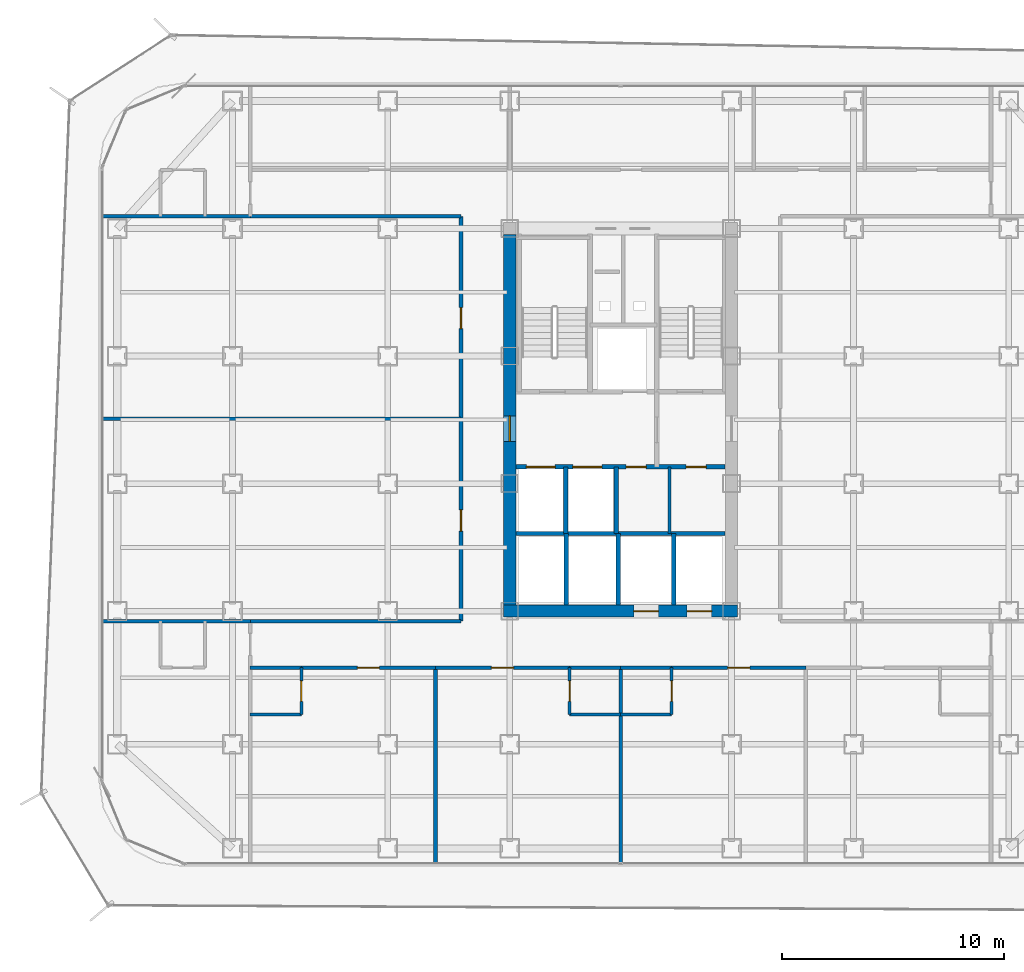
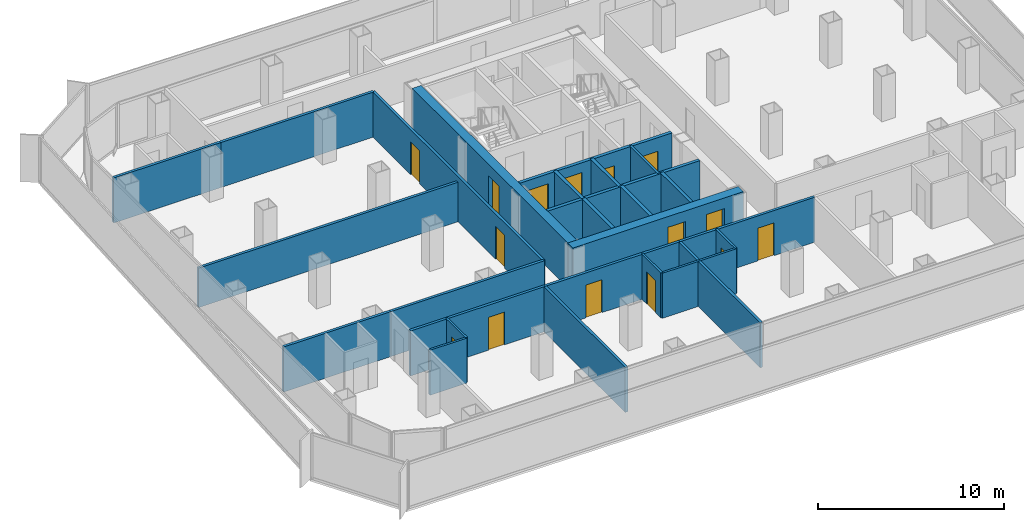
# One storey, part 16 of 21: 30 walls, 15 doors, 15 openings.
"""IFC4 building model written with IfcOpenShell, lengths in metres."""

from ifc_helpers import new_model, si_unit, direction, frame, frame_2d, origin, place, context, subcontext, project, spatial, rectangle, extrude, material, layer, layer_set, type_object, element, fill, save


model = new_model("IFC4")

# Units and contexts
model_context = context("Model", 3, precision=1e-05, world=origin(), true_north=direction((0.0, 1.0)))
body_context = subcontext(model_context, "Body", "Model", "MODEL_VIEW")
ifc_project = project(units=[si_unit("LENGTHUNIT", "METRE"), si_unit("AREAUNIT", "SQUARE_METRE"), si_unit("VOLUMEUNIT", "CUBIC_METRE"), si_unit("PLANEANGLEUNIT", "RADIAN"), si_unit("MASSUNIT", "GRAM", prefix="KILO")], contexts=[model_context])

# Site, building, storey
site_placement = place(None, origin())
site = spatial("IfcSite", under=ifc_project, at=site_placement, CompositionType="ELEMENT")
building_placement = place(site_placement, origin())
building = spatial("IfcBuilding", under=site, at=building_placement, Name="Kolveth Station Tower", CompositionType="ELEMENT")
storey_placement = place(building_placement, frame((0.0, 0.0, 92.699951171875)))
storey = spatial("IfcBuildingStorey", under=building, at=storey_placement, Name="L24", CompositionType="ELEMENT", Elevation=92.699951171875)

# Wall, openings, doors
ifc_material_1 = material(Name="Concrete C60/75", Category="concrete")
ifc_layer_1 = layer(ifc_material_1, 0.550048828125)
ifc_layer_set_1 = layer_set([ifc_layer_1], Name="Concrete C60/75")
wall_type_1 = type_object("IfcWallType", Name="Wall_CW-550", PredefinedType="SHEAR", material=ifc_layer_set_1)
wall_1_placement = place(storey_placement, frame((18.22509765625, 11.5, 0.0), z_axis=(0.0, 0.0, 1.0), x_axis=(1.0, 0.0, 0.0)))
wall_1 = element("IfcWall", 1, at=wall_1_placement, inside=storey, type_object=wall_type_1, Name="L24 Core RC Shear Wall S", PredefinedType="SHEAR", context=body_context, shape_type="SweptSolid", body=[
    extrude(rectangle(XDim=10.5498046875, YDim=0.550048828125, at=frame_2d((5.27490234375, 0.0))), origin(), (0.0, 0.0, 1.0), 2.949951171875),
])
opening_1_placement = place(wall_1_placement, frame((5.875, 0.0, 0.0)))
opening_1 = element("IfcOpeningElement", 2, at=opening_1_placement, cuts=wall_1, Name="Opening LD1", PredefinedType="OPENING", context=body_context, shape_type="SweptSolid", body=[
    extrude(rectangle(XDim=1.10009765625, YDim=2.25, at=frame_2d((0.550048828125, 1.125))), frame((0.0, 0.284912109375, 0.0), z_axis=(0.0, -1.0, 0.0), x_axis=(1.0, 0.0, 0.0)), (0.0, 0.0, 1.0), 0.570068359375),
])
opening_2_placement = place(wall_1_placement, frame((8.27490234375, 0.0, 0.0)))
opening_2 = element("IfcOpeningElement", 3, at=opening_2_placement, cuts=wall_1, Name="Opening LD1", PredefinedType="OPENING", context=body_context, shape_type="SweptSolid", body=[
    extrude(rectangle(XDim=1.10009765625, YDim=2.25, at=frame_2d((0.550048828125, 1.125))), frame((0.0, 0.284912109375, 0.0), z_axis=(0.0, -1.0, 0.0), x_axis=(1.0, 0.0, 0.0)), (0.0, 0.0, 1.0), 0.570068359375),
])
ifc_material_2 = material(Name="Brushed stainless steel sliding landing doors", Category="steel")
door_type_1 = type_object("IfcDoorType", Name="Door_LD1", OperationType="NOTDEFINED", PredefinedType="DOOR", material=ifc_material_2)
door_1_placement = place(opening_1_placement, frame((1.10009765625, 0.0, 0.0), z_axis=(0.0, 0.0, 1.0), x_axis=(-1.0, 0.0, 0.0)))
door_1 = element("IfcDoor", 4, at=door_1_placement, inside=storey, type_object=door_type_1, Name="L24 Lift PM1 Landing Door", OperationType="DOUBLE_DOOR_SLIDING", OverallHeight=2.25, OverallWidth=1.10009765625, PredefinedType="DOOR", context=body_context, shape_type="SweptSolid", body=[
    extrude(rectangle(XDim=1.10009765625, YDim=2.25, at=frame_2d((0.550048828125, 1.125))), frame((0.0, 0.02490234375, 0.0), z_axis=(0.0, -1.0, 0.0), x_axis=(1.0, 0.0, 0.0)), (0.0, 0.0, 1.0), 0.050048828125),
])
fill(opening_1, door_1)
door_2_placement = place(opening_2_placement, frame((1.10009765625, 0.0, 0.0), z_axis=(0.0, 0.0, 1.0), x_axis=(-1.0, 0.0, 0.0)))
door_2 = element("IfcDoor", 5, at=door_2_placement, inside=storey, type_object=door_type_1, Name="L24 Lift PH1 Landing Door", OperationType="DOUBLE_DOOR_SLIDING", OverallHeight=2.25, OverallWidth=1.10009765625, PredefinedType="DOOR", context=body_context, shape_type="SweptSolid", body=[
    extrude(rectangle(XDim=1.10009765625, YDim=2.25, at=frame_2d((0.550048828125, 1.125))), frame((0.0, 0.02490234375, 0.0), z_axis=(0.0, -1.0, 0.0), x_axis=(1.0, 0.0, 0.0)), (0.0, 0.0, 1.0), 0.050048828125),
])
fill(opening_2, door_2)

# Wall, opening, door
wall_2_placement = place(storey_placement, frame((18.5, 11.77490234375, 0.0), z_axis=(0.0, 0.0, 1.0), x_axis=(0.0, 1.0, 0.0)))
wall_2 = element("IfcWall", 6, at=wall_2_placement, inside=storey, type_object=wall_type_1, Name="L24 Core RC Shear Wall W", PredefinedType="SHEAR", context=body_context, shape_type="SweptSolid", body=[
    extrude(rectangle(XDim=16.7001953125, YDim=0.550048828125, at=frame_2d((8.35009765625, 0.0))), origin(), (0.0, 0.0, 1.0), 2.949951171875),
])
opening_3_placement = place(wall_2_placement, frame((7.375, 0.0, 0.0)))
opening_3 = element("IfcOpeningElement", 7, at=opening_3_placement, cuts=wall_2, Name="Opening FD1", PredefinedType="OPENING", context=body_context, shape_type="SweptSolid", body=[
    extrude(rectangle(XDim=1.14990234375, YDim=2.199951171875, at=frame_2d((0.574951171875, 1.10009765625))), frame((0.0, 0.284912109375, 0.0), z_axis=(0.0, -1.0, 0.0), x_axis=(1.0, 0.0, 0.0)), (0.0, 0.0, 1.0), 0.570068359375),
])
ifc_material_3 = material(Name="Fire-rated Steel S355 leaf and frame", Category="steel")
door_type_2 = type_object("IfcDoorType", Name="Door_FD1", OperationType="NOTDEFINED", PredefinedType="DOOR", material=ifc_material_3)
door_3_placement = place(opening_3_placement, frame((1.14990234375, 0.0, 0.0), z_axis=(0.0, 0.0, 1.0), x_axis=(-1.0, 0.0, 0.0)))
door_3 = element("IfcDoor", 8, at=door_3_placement, inside=storey, type_object=door_type_2, Name="L24 West Corridor to Firefighting Lobby Door", OperationType="SINGLE_SWING_LEFT", OverallHeight=2.199951171875, OverallWidth=1.14990234375, PredefinedType="DOOR", context=body_context, shape_type="SweptSolid", body=[
    extrude(rectangle(XDim=1.14990234375, YDim=2.199951171875, at=frame_2d((0.574951171875, 1.10009765625))), frame((0.0, 0.02490234375, 0.0), z_axis=(0.0, -1.0, 0.0), x_axis=(1.0, 0.0, 0.0)), (0.0, 0.0, 1.0), 0.050048828125),
])
fill(opening_3, door_3)

# Wall
ifc_material_4 = material(Name="Moisture-resistant gypsum partition")
ifc_layer_2 = layer(ifc_material_4, 0.135009765625)
ifc_layer_set_2 = layer_set([ifc_layer_2], Name="Moisture-resistant gypsum partition")
wall_type_2 = type_object("IfcWallType", Name="Wall_IW-135", PredefinedType="PARTITIONING", material=ifc_layer_set_2)
wall_3_placement = place(storey_placement, frame((25.699951171875, 15.0, 0.0), z_axis=(0.0, 0.0, 1.0), x_axis=(0.0, 1.0, 0.0)))
element("IfcWall", 9, at=wall_3_placement, inside=storey, type_object=wall_type_2, Name="L24 Partition Wall WL-L24-CB-V1", PredefinedType="PARTITIONING", context=body_context, shape_type="SweptSolid", body=[
    extrude(rectangle(XDim=3.0, YDim=0.135009765625, at=frame_2d((1.5, 0.0))), origin(), (0.0, 0.0, 1.0), 2.949951171875),
])

# Wall, opening, door
wall_4_placement = place(storey_placement, frame((9.10009765625, 6.85009765625, 0.0), z_axis=(0.0, 0.0, 1.0), x_axis=(0.0, 1.0, 0.0)))
wall_4 = element("IfcWall", 10, at=wall_4_placement, inside=storey, type_object=wall_type_2, Name="L24 Partition Wall WL-L24-HS1-BV", PredefinedType="PARTITIONING", context=body_context, shape_type="SweptSolid", body=[
    extrude(rectangle(XDim=2.099853515625, YDim=0.135009765625, at=frame_2d((1.0498046875, 0.0))), origin(), (0.0, 0.0, 1.0), 2.949951171875),
])
opening_4_placement = place(wall_4_placement, frame((0.580078125, 0.0, 0.0)))
opening_4 = element("IfcOpeningElement", 11, at=opening_4_placement, cuts=wall_4, Name="Opening ID2", PredefinedType="OPENING", context=body_context, shape_type="SweptSolid", body=[
    extrude(rectangle(XDim=0.919921875, YDim=2.10009765625, at=frame_2d((0.4599609375, 1.050048828125))), frame((0.0, 0.077392578125, 0.0), z_axis=(0.0, -1.0, 0.0), x_axis=(1.0, 0.0, 0.0)), (0.0, 0.0, 1.0), 0.155029296875),
])
ifc_material_5 = material(Name="Moisture-resistant hardwood leaf", Category="wood")
door_type_3 = type_object("IfcDoorType", Name="Door_ID2", OperationType="NOTDEFINED", PredefinedType="DOOR", material=ifc_material_5)
door_4_placement = place(opening_4_placement, frame((0.919921875, 0.0, 0.0), z_axis=(0.0, 0.0, 1.0), x_axis=(-1.0, 0.0, 0.0)))
door_4 = element("IfcDoor", 12, at=door_4_placement, inside=storey, type_object=door_type_3, Name="L24 Hotel Corner Suite HS1 En-Suite Door", OperationType="SINGLE_SWING_LEFT", OverallHeight=2.10009765625, OverallWidth=0.919921875, PredefinedType="DOOR", context=body_context, shape_type="SweptSolid", body=[
    extrude(rectangle(XDim=0.919921875, YDim=2.10009765625, at=frame_2d((0.4599609375, 1.050048828125))), frame((0.0, 0.02490234375, 0.0), z_axis=(0.0, -1.0, 0.0), x_axis=(1.0, 0.0, 0.0)), (0.0, 0.0, 1.0), 0.050048828125),
])
fill(opening_4, door_4)

# Wall
wall_5_placement = place(storey_placement, frame((6.800048828125, 6.85009765625, 0.0), z_axis=(0.0, 0.0, 1.0), x_axis=(1.0, 0.0, 0.0)))
element("IfcWall", 13, at=wall_5_placement, inside=storey, type_object=wall_type_2, Name="L24 Partition Wall WL-L24-HS1-BH", PredefinedType="PARTITIONING", context=body_context, shape_type="SweptSolid", body=[
    extrude(rectangle(XDim=2.300048828125, YDim=0.135009765625, at=frame_2d((1.14990234375, 0.0))), origin(), (0.0, 0.0, 1.0), 2.949951171875),
])

# Wall, opening, door
wall_6_placement = place(storey_placement, frame((21.199951171875, 6.85009765625, 0.0), z_axis=(0.0, 0.0, 1.0), x_axis=(0.0, 1.0, 0.0)))
wall_6 = element("IfcWall", 14, at=wall_6_placement, inside=storey, type_object=wall_type_2, Name="L24 Partition Wall WL-L24-HS2-BV", PredefinedType="PARTITIONING", context=body_context, shape_type="SweptSolid", body=[
    extrude(rectangle(XDim=2.099853515625, YDim=0.135009765625, at=frame_2d((1.0498046875, 0.0))), origin(), (0.0, 0.0, 1.0), 2.949951171875),
])
opening_5_placement = place(wall_6_placement, frame((0.580078125, 0.0, 0.0)))
opening_5 = element("IfcOpeningElement", 15, at=opening_5_placement, cuts=wall_6, Name="Opening ID2", PredefinedType="OPENING", context=body_context, shape_type="SweptSolid", body=[
    extrude(rectangle(XDim=0.919921875, YDim=2.10009765625, at=frame_2d((0.4599609375, 1.050048828125))), frame((0.0, 0.077392578125, 0.0), z_axis=(0.0, -1.0, 0.0), x_axis=(1.0, 0.0, 0.0)), (0.0, 0.0, 1.0), 0.155029296875),
])
door_5_placement = place(opening_5_placement, origin())
door_5 = element("IfcDoor", 16, at=door_5_placement, inside=storey, type_object=door_type_3, Name="L24 Hotel Corner Suite HS2 En-Suite Door", OperationType="SINGLE_SWING_LEFT", OverallHeight=2.10009765625, OverallWidth=0.919921875, PredefinedType="DOOR", context=body_context, shape_type="SweptSolid", body=[
    extrude(rectangle(XDim=0.919921875, YDim=2.10009765625, at=frame_2d((0.4599609375, 1.050048828125))), frame((0.0, 0.02490234375, 0.0), z_axis=(0.0, -1.0, 0.0), x_axis=(1.0, 0.0, 0.0)), (0.0, 0.0, 1.0), 0.050048828125),
])
fill(opening_5, door_5)

# Wall
wall_7_placement = place(storey_placement, frame((21.199951171875, 6.85009765625, 0.0), z_axis=(0.0, 0.0, 1.0), x_axis=(1.0, 0.0, 0.0)))
element("IfcWall", 17, at=wall_7_placement, inside=storey, type_object=wall_type_2, Name="L24 Partition Wall WL-L24-HS2-BH", PredefinedType="PARTITIONING", context=body_context, shape_type="SweptSolid", body=[
    extrude(rectangle(XDim=2.300048828125, YDim=0.135009765625, at=frame_2d((1.14990234375, 0.0))), origin(), (0.0, 0.0, 1.0), 2.949951171875),
])

# Wall, opening, door
wall_8_placement = place(storey_placement, frame((25.800048828125, 6.85009765625, 0.0), z_axis=(0.0, 0.0, 1.0), x_axis=(0.0, 1.0, 0.0)))
wall_8 = element("IfcWall", 18, at=wall_8_placement, inside=storey, type_object=wall_type_2, Name="L24 Partition Wall WL-L24-HS3-BV", PredefinedType="PARTITIONING", context=body_context, shape_type="SweptSolid", body=[
    extrude(rectangle(XDim=2.099853515625, YDim=0.135009765625, at=frame_2d((1.0498046875, 0.0))), origin(), (0.0, 0.0, 1.0), 2.949951171875),
])
opening_6_placement = place(wall_8_placement, frame((0.580078125, 0.0, 0.0)))
opening_6 = element("IfcOpeningElement", 19, at=opening_6_placement, cuts=wall_8, Name="Opening ID2", PredefinedType="OPENING", context=body_context, shape_type="SweptSolid", body=[
    extrude(rectangle(XDim=0.919921875, YDim=2.10009765625, at=frame_2d((0.4599609375, 1.050048828125))), frame((0.0, 0.077392578125, 0.0), z_axis=(0.0, -1.0, 0.0), x_axis=(1.0, 0.0, 0.0)), (0.0, 0.0, 1.0), 0.155029296875),
])
door_6_placement = place(opening_6_placement, frame((0.919921875, 0.0, 0.0), z_axis=(0.0, 0.0, 1.0), x_axis=(-1.0, 0.0, 0.0)))
door_6 = element("IfcDoor", 20, at=door_6_placement, inside=storey, type_object=door_type_3, Name="L24 Hotel Corner Suite HS3 En-Suite Door", OperationType="SINGLE_SWING_LEFT", OverallHeight=2.10009765625, OverallWidth=0.919921875, PredefinedType="DOOR", context=body_context, shape_type="SweptSolid", body=[
    extrude(rectangle(XDim=0.919921875, YDim=2.10009765625, at=frame_2d((0.4599609375, 1.050048828125))), frame((0.0, 0.02490234375, 0.0), z_axis=(0.0, -1.0, 0.0), x_axis=(1.0, 0.0, 0.0)), (0.0, 0.0, 1.0), 0.050048828125),
])
fill(opening_6, door_6)

# Walls
wall_9_placement = place(storey_placement, frame((23.5, 6.85009765625, 0.0), z_axis=(0.0, 0.0, 1.0), x_axis=(1.0, 0.0, 0.0)))
element("IfcWall", 21, at=wall_9_placement, inside=storey, type_object=wall_type_2, Name="L24 Partition Wall WL-L24-HS3-BH", PredefinedType="PARTITIONING", context=body_context, shape_type="SweptSolid", body=[
    extrude(rectangle(XDim=2.300048828125, YDim=0.135009765625, at=frame_2d((1.14990234375, 0.0))), origin(), (0.0, 0.0, 1.0), 2.949951171875),
])
ifc_material_6 = material(Name="Acoustic double-stud gypsum partition")
ifc_layer_3 = layer(ifc_material_6, 0.1650390625)
ifc_layer_set_3 = layer_set([ifc_layer_3], Name="Acoustic double-stud gypsum partition")
wall_type_3 = type_object("IfcWallType", Name="Wall_IW-165", PredefinedType="PARTITIONING", material=ifc_layer_set_3)
for number, where, z_axis, x_axis, name in (
    (22, (6.800048828125, 11.050048828125, 0.0), (0.0, 0.0, 1.0), (1.0, 0.0, 0.0), "L24 Partition Wall WL-L24-HSWT"),
    (23, (6.800048828125, 29.300048828125, 0.0), (0.0, 0.0, 1.0), (1.0, 0.0, 0.0), "L24 Partition Wall WL-L24-HNWB"),
):
    element("IfcWall", number, at=place(storey_placement, frame(where, z_axis=z_axis, x_axis=x_axis)), inside=storey, type_object=wall_type_3, Name=name, PredefinedType="PARTITIONING", context=body_context, shape_type="SweptSolid", body=[
        extrude(rectangle(XDim=9.5, YDim=0.1650390625, at=frame_2d((4.75, 0.0))), origin(), (0.0, 0.0, 1.0), 2.949951171875),
    ])

# Wall, openings, doors
wall_10_placement = place(storey_placement, frame((16.300048828125, 11.050048828125, 0.0), z_axis=(0.0, 0.0, 1.0), x_axis=(0.0, 1.0, 0.0)))
wall_10 = element("IfcWall", 24, at=wall_10_placement, inside=storey, type_object=wall_type_3, Name="L24 Partition Wall WL-L24-HW", PredefinedType="PARTITIONING", context=body_context, shape_type="SweptSolid", body=[
    extrude(rectangle(XDim=18.25, YDim=0.1650390625, at=frame_2d((9.125, 0.0))), origin(), (0.0, 0.0, 1.0), 2.949951171875),
])
opening_7_placement = place(wall_10_placement, frame((4.06201171875, 0.0, 0.0)))
opening_7 = element("IfcOpeningElement", 25, at=opening_7_placement, cuts=wall_10, Name="Opening ID1", PredefinedType="OPENING", context=body_context, shape_type="SweptSolid", body=[
    extrude(rectangle(XDim=0.949951171875, YDim=2.14990234375, at=frame_2d((0.47509765625, 1.074951171875))), frame((0.0, 0.092529296875, 0.0), z_axis=(0.0, -1.0, 0.0), x_axis=(1.0, 0.0, 0.0)), (0.0, 0.0, 1.0), 0.18505859375),
])
opening_8_placement = place(wall_10_placement, frame((13.18701171875, 0.0, 0.0)))
opening_8 = element("IfcOpeningElement", 26, at=opening_8_placement, cuts=wall_10, Name="Opening ID1", PredefinedType="OPENING", context=body_context, shape_type="SweptSolid", body=[
    extrude(rectangle(XDim=0.949951171875, YDim=2.14990234375, at=frame_2d((0.47509765625, 1.074951171875))), frame((0.0, 0.092529296875, 0.0), z_axis=(0.0, -1.0, 0.0), x_axis=(1.0, 0.0, 0.0)), (0.0, 0.0, 1.0), 0.18505859375),
])
ifc_material_7 = material(Name="Acoustic hardwood leaf and aluminium frame", Category="wood")
door_type_4 = type_object("IfcDoorType", Name="Door_ID1", OperationType="NOTDEFINED", PredefinedType="DOOR", material=ifc_material_7)
door_7_placement = place(opening_7_placement, frame((0.949951171875, 0.0, 0.0), z_axis=(0.0, 0.0, 1.0), x_axis=(-1.0, 0.0, 0.0)))
door_7 = element("IfcDoor", 27, at=door_7_placement, inside=storey, type_object=door_type_4, Name="L24 Hotel Guest Lounge Door", OperationType="SINGLE_SWING_LEFT", OverallHeight=2.14990234375, OverallWidth=0.949951171875, PredefinedType="DOOR", context=body_context, shape_type="SweptSolid", body=[
    extrude(rectangle(XDim=0.949951171875, YDim=2.14990234375, at=frame_2d((0.47509765625, 1.074951171875))), frame((0.0, 0.02490234375, 0.0), z_axis=(0.0, -1.0, 0.0), x_axis=(1.0, 0.0, 0.0)), (0.0, 0.0, 1.0), 0.050048828125),
])
fill(opening_7, door_7)
door_8_placement = place(opening_8_placement, frame((0.949951171875, 0.0, 0.0), z_axis=(0.0, 0.0, 1.0), x_axis=(-1.0, 0.0, 0.0)))
door_8 = element("IfcDoor", 28, at=door_8_placement, inside=storey, type_object=door_type_4, Name="L24 Spa Treatment Suite Door", OperationType="SINGLE_SWING_LEFT", OverallHeight=2.14990234375, OverallWidth=0.949951171875, PredefinedType="DOOR", context=body_context, shape_type="SweptSolid", body=[
    extrude(rectangle(XDim=0.949951171875, YDim=2.14990234375, at=frame_2d((0.47509765625, 1.074951171875))), frame((0.0, 0.02490234375, 0.0), z_axis=(0.0, -1.0, 0.0), x_axis=(1.0, 0.0, 0.0)), (0.0, 0.0, 1.0), 0.050048828125),
])
fill(opening_8, door_8)

# Walls
for number, where, z_axis, x_axis, name in (
    (29, (0.159912109375, 11.050048828125, 0.0), (0.0, 0.0, 1.0), (1.0, 0.0, 0.0), "L24 Partition Wall WL-L24-WM1"),
    (30, (0.159912109375, 29.300048828125, 0.0), (0.0, 0.0, 1.0), (1.0, 0.0, 0.0), "L24 Partition Wall WL-L24-WM2"),
):
    element("IfcWall", number, at=place(storey_placement, frame(where, z_axis=z_axis, x_axis=x_axis)), inside=storey, type_object=wall_type_3, Name=name, PredefinedType="PARTITIONING", context=body_context, shape_type="SweptSolid", body=[
        extrude(rectangle(XDim=6.64013671875, YDim=0.1650390625, at=frame_2d((3.320068359375, 0.0))), origin(), (0.0, 0.0, 1.0), 2.949951171875),
    ])
wall_11_placement = place(storey_placement, frame((6.800048828125, 8.949951171875, 0.0), z_axis=(0.0, 0.0, 1.0), x_axis=(1.0, 0.0, 0.0)))
element("IfcWall", 31, at=wall_11_placement, inside=storey, type_object=wall_type_3, Name="L24 Partition Wall WL-L24-HS1-BCOR", PredefinedType="PARTITIONING", context=body_context, shape_type="SweptSolid", body=[
    extrude(rectangle(XDim=2.300048828125, YDim=0.1650390625, at=frame_2d((1.14990234375, 0.0))), origin(), (0.0, 0.0, 1.0), 2.949951171875),
])

# Wall, opening, door
wall_12_placement = place(storey_placement, frame((9.10009765625, 8.949951171875, 0.0), z_axis=(0.0, 0.0, 1.0), x_axis=(1.0, 0.0, 0.0)))
wall_12 = element("IfcWall", 32, at=wall_12_placement, inside=storey, type_object=wall_type_3, Name="L24 Partition Wall WL-L24-HS1-RCOR", PredefinedType="PARTITIONING", context=body_context, shape_type="SweptSolid", body=[
    extrude(rectangle(XDim=6.0498046875, YDim=0.1650390625, at=frame_2d((3.02490234375, 0.0))), origin(), (0.0, 0.0, 1.0), 2.949951171875),
])
opening_9_placement = place(wall_12_placement, frame((2.52490234375, 0.0, 0.0)))
opening_9 = element("IfcOpeningElement", 33, at=opening_9_placement, cuts=wall_12, Name="Opening FD3", PredefinedType="OPENING", context=body_context, shape_type="SweptSolid", body=[
    extrude(rectangle(XDim=1.0, YDim=2.14990234375, at=frame_2d((0.5, 1.074951171875))), frame((0.0, 0.092529296875, 0.0), z_axis=(0.0, -1.0, 0.0), x_axis=(1.0, 0.0, 0.0)), (0.0, 0.0, 1.0), 0.18505859375),
])
ifc_material_8 = material(Name="Fire-rated hardwood leaf and aluminium frame", Category="wood")
door_type_5 = type_object("IfcDoorType", Name="Door_FD3", OperationType="NOTDEFINED", PredefinedType="DOOR", material=ifc_material_8)
door_9_placement = place(opening_9_placement, frame((1.0, 0.0, 0.0), z_axis=(0.0, 0.0, 1.0), x_axis=(-1.0, 0.0, 0.0)))
door_9 = element("IfcDoor", 34, at=door_9_placement, inside=storey, type_object=door_type_5, Name="L24 Hotel Corner Suite HS1 Entrance Door", OperationType="SINGLE_SWING_RIGHT", OverallHeight=2.14990234375, OverallWidth=1.0, PredefinedType="DOOR", context=body_context, shape_type="SweptSolid", body=[
    extrude(rectangle(XDim=1.0, YDim=2.14990234375, at=frame_2d((0.5, 1.074951171875))), frame((0.0, 0.02490234375, 0.0), z_axis=(0.0, -1.0, 0.0), x_axis=(1.0, 0.0, 0.0)), (0.0, 0.0, 1.0), 0.050048828125),
])
fill(opening_9, door_9)

# Walls
wall_13_placement = place(storey_placement, frame((15.14990234375, 0.159912109375, 0.0), z_axis=(0.0, 0.0, 1.0), x_axis=(0.0, 1.0, 0.0)))
element("IfcWall", 35, at=wall_13_placement, inside=storey, type_object=wall_type_3, Name="L24 Partition Wall WL-L24-HSK-1", PredefinedType="PARTITIONING", context=body_context, shape_type="SweptSolid", body=[
    extrude(rectangle(XDim=8.7900390625, YDim=0.1650390625, at=frame_2d((4.39501953125, 0.0))), origin(), (0.0, 0.0, 1.0), 2.949951171875),
])
wall_14_placement = place(storey_placement, frame((21.199951171875, 8.949951171875, 0.0), z_axis=(0.0, 0.0, 1.0), x_axis=(1.0, 0.0, 0.0)))
element("IfcWall", 36, at=wall_14_placement, inside=storey, type_object=wall_type_3, Name="L24 Partition Wall WL-L24-HS2-BCOR", PredefinedType="PARTITIONING", context=body_context, shape_type="SweptSolid", body=[
    extrude(rectangle(XDim=2.300048828125, YDim=0.1650390625, at=frame_2d((1.14990234375, 0.0))), origin(), (0.0, 0.0, 1.0), 2.949951171875),
])

# Wall, opening, door
wall_15_placement = place(storey_placement, frame((15.14990234375, 8.949951171875, 0.0), z_axis=(0.0, 0.0, 1.0), x_axis=(1.0, 0.0, 0.0)))
wall_15 = element("IfcWall", 37, at=wall_15_placement, inside=storey, type_object=wall_type_3, Name="L24 Partition Wall WL-L24-HS2-RCOR", PredefinedType="PARTITIONING", context=body_context, shape_type="SweptSolid", body=[
    extrude(rectangle(XDim=6.050048828125, YDim=0.1650390625, at=frame_2d((3.02490234375, 0.0))), origin(), (0.0, 0.0, 1.0), 2.949951171875),
])
opening_10_placement = place(wall_15_placement, frame((2.52490234375, 0.0, 0.0)))
opening_10 = element("IfcOpeningElement", 38, at=opening_10_placement, cuts=wall_15, Name="Opening FD3", PredefinedType="OPENING", context=body_context, shape_type="SweptSolid", body=[
    extrude(rectangle(XDim=1.0, YDim=2.14990234375, at=frame_2d((0.5, 1.074951171875))), frame((0.0, 0.092529296875, 0.0), z_axis=(0.0, -1.0, 0.0), x_axis=(1.0, 0.0, 0.0)), (0.0, 0.0, 1.0), 0.18505859375),
])
door_10_placement = place(opening_10_placement, frame((1.0, 0.0, 0.0), z_axis=(0.0, 0.0, 1.0), x_axis=(-1.0, 0.0, 0.0)))
door_10 = element("IfcDoor", 39, at=door_10_placement, inside=storey, type_object=door_type_5, Name="L24 Hotel Corner Suite HS2 Entrance Door", OperationType="SINGLE_SWING_LEFT", OverallHeight=2.14990234375, OverallWidth=1.0, PredefinedType="DOOR", context=body_context, shape_type="SweptSolid", body=[
    extrude(rectangle(XDim=1.0, YDim=2.14990234375, at=frame_2d((0.5, 1.074951171875))), frame((0.0, 0.02490234375, 0.0), z_axis=(0.0, -1.0, 0.0), x_axis=(1.0, 0.0, 0.0)), (0.0, 0.0, 1.0), 0.050048828125),
])
fill(opening_10, door_10)

# Walls
wall_16_placement = place(storey_placement, frame((23.5, 0.159912109375, 0.0), z_axis=(0.0, 0.0, 1.0), x_axis=(0.0, 1.0, 0.0)))
element("IfcWall", 40, at=wall_16_placement, inside=storey, type_object=wall_type_3, Name="L24 Partition Wall WL-L24-HSK-2", PredefinedType="PARTITIONING", context=body_context, shape_type="SweptSolid", body=[
    extrude(rectangle(XDim=8.7900390625, YDim=0.1650390625, at=frame_2d((4.39501953125, 0.0))), origin(), (0.0, 0.0, 1.0), 2.949951171875),
])
wall_17_placement = place(storey_placement, frame((23.5, 8.949951171875, 0.0), z_axis=(0.0, 0.0, 1.0), x_axis=(1.0, 0.0, 0.0)))
element("IfcWall", 41, at=wall_17_placement, inside=storey, type_object=wall_type_3, Name="L24 Partition Wall WL-L24-HS3-BCOR", PredefinedType="PARTITIONING", context=body_context, shape_type="SweptSolid", body=[
    extrude(rectangle(XDim=2.300048828125, YDim=0.1650390625, at=frame_2d((1.14990234375, 0.0))), origin(), (0.0, 0.0, 1.0), 2.949951171875),
])

# Wall, opening, door
wall_18_placement = place(storey_placement, frame((25.800048828125, 8.949951171875, 0.0), z_axis=(0.0, 0.0, 1.0), x_axis=(1.0, 0.0, 0.0)))
wall_18 = element("IfcWall", 42, at=wall_18_placement, inside=storey, type_object=wall_type_3, Name="L24 Partition Wall WL-L24-HS3-RCOR", PredefinedType="PARTITIONING", context=body_context, shape_type="SweptSolid", body=[
    extrude(rectangle(XDim=6.050048828125, YDim=0.1650390625, at=frame_2d((3.02490234375, 0.0))), origin(), (0.0, 0.0, 1.0), 2.949951171875),
])
opening_11_placement = place(wall_18_placement, frame((2.52490234375, 0.0, 0.0)))
opening_11 = element("IfcOpeningElement", 43, at=opening_11_placement, cuts=wall_18, Name="Opening FD3", PredefinedType="OPENING", context=body_context, shape_type="SweptSolid", body=[
    extrude(rectangle(XDim=1.0, YDim=2.14990234375, at=frame_2d((0.5, 1.074951171875))), frame((0.0, 0.092529296875, 0.0), z_axis=(0.0, -1.0, 0.0), x_axis=(1.0, 0.0, 0.0)), (0.0, 0.0, 1.0), 0.18505859375),
])
door_11_placement = place(opening_11_placement, frame((1.0, 0.0, 0.0), z_axis=(0.0, 0.0, 1.0), x_axis=(-1.0, 0.0, 0.0)))
door_11 = element("IfcDoor", 44, at=door_11_placement, inside=storey, type_object=door_type_5, Name="L24 Hotel Corner Suite HS3 Entrance Door", OperationType="SINGLE_SWING_RIGHT", OverallHeight=2.14990234375, OverallWidth=1.0, PredefinedType="DOOR", context=body_context, shape_type="SweptSolid", body=[
    extrude(rectangle(XDim=1.0, YDim=2.14990234375, at=frame_2d((0.5, 1.074951171875))), frame((0.0, 0.02490234375, 0.0), z_axis=(0.0, -1.0, 0.0), x_axis=(1.0, 0.0, 0.0)), (0.0, 0.0, 1.0), 0.050048828125),
])
fill(opening_11, door_11)

# Wall
wall_19_placement = place(storey_placement, frame((0.159912109375, 20.175048828125, 0.0), z_axis=(0.0, 0.0, 1.0), x_axis=(1.0, 0.0, 0.0)))
element("IfcWall", 45, at=wall_19_placement, inside=storey, type_object=wall_type_3, Name="L24 Partition Wall WL-L24-HMW-P1", PredefinedType="PARTITIONING", context=body_context, shape_type="SweptSolid", body=[
    extrude(rectangle(XDim=16.14013671875, YDim=0.1650390625, at=frame_2d((8.070068359375, 0.0))), origin(), (0.0, 0.0, 1.0), 2.5830078125),
])

# Wall, openings, doors
ifc_material_9 = material(Name="Acoustic fire-rated gypsum blockwork", Category="masonry")
ifc_layer_4 = layer(ifc_material_9, 0.199951171875)
ifc_layer_set_4 = layer_set([ifc_layer_4], Name="Acoustic fire-rated gypsum blockwork")
wall_type_4 = type_object("IfcWallType", Name="Wall_IW-200", PredefinedType="PARTITIONING", material=ifc_layer_set_4)
wall_20_placement = place(storey_placement, frame((18.784912109375, 18.0, 0.0), z_axis=(0.0, 0.0, 1.0), x_axis=(1.0, 0.0, 0.0)))
wall_20 = element("IfcWall", 46, at=wall_20_placement, inside=storey, type_object=wall_type_4, Name="L24 Partition Wall WL-L24-FFL-S", PredefinedType="PARTITIONING", context=body_context, shape_type="SweptSolid", body=[
    extrude(rectangle(XDim=9.43017578125, YDim=0.199951171875, at=frame_2d((4.715087890625, 0.0))), origin(), (0.0, 0.0, 1.0), 2.949951171875),
])
opening_12_placement = place(wall_20_placement, frame((0.465087890625, 0.0, 0.0)))
opening_12 = element("IfcOpeningElement", 47, at=opening_12_placement, cuts=wall_20, Name="Opening LD2", PredefinedType="OPENING", context=body_context, shape_type="SweptSolid", body=[
    extrude(rectangle(XDim=1.300048828125, YDim=2.300048828125, at=frame_2d((0.64990234375, 1.14990234375))), frame((0.0, 0.10986328125, 0.0), z_axis=(0.0, -1.0, 0.0), x_axis=(1.0, 0.0, 0.0)), (0.0, 0.0, 1.0), 0.219970703125),
])
opening_13_placement = place(wall_20_placement, frame((2.56494140625, 0.0, 0.0)))
opening_13 = element("IfcOpeningElement", 48, at=opening_13_placement, cuts=wall_20, Name="Opening LD2", PredefinedType="OPENING", context=body_context, shape_type="SweptSolid", body=[
    extrude(rectangle(XDim=1.300048828125, YDim=2.300048828125, at=frame_2d((0.64990234375, 1.14990234375))), frame((0.0, 0.10986328125, 0.0), z_axis=(0.0, -1.0, 0.0), x_axis=(1.0, 0.0, 0.0)), (0.0, 0.0, 1.0), 0.219970703125),
])
opening_14_placement = place(wall_20_placement, frame((4.965087890625, 0.0, 0.0)))
opening_14 = element("IfcOpeningElement", 49, at=opening_14_placement, cuts=wall_20, Name="Opening RD1", PredefinedType="OPENING", context=body_context, shape_type="SweptSolid", body=[
    extrude(rectangle(XDim=0.89990234375, YDim=2.050048828125, at=frame_2d((0.449951171875, 1.02490234375))), frame((0.0, 0.10986328125, 0.0), z_axis=(0.0, -1.0, 0.0), x_axis=(1.0, 0.0, 0.0)), (0.0, 0.0, 1.0), 0.219970703125),
])
opening_15_placement = place(wall_20_placement, frame((7.6650390625, 0.0, 0.0)))
opening_15 = element("IfcOpeningElement", 50, at=opening_15_placement, cuts=wall_20, Name="Opening RD1", PredefinedType="OPENING", context=body_context, shape_type="SweptSolid", body=[
    extrude(rectangle(XDim=0.89990234375, YDim=2.050048828125, at=frame_2d((0.449951171875, 1.02490234375))), frame((0.0, 0.10986328125, 0.0), z_axis=(0.0, -1.0, 0.0), x_axis=(1.0, 0.0, 0.0)), (0.0, 0.0, 1.0), 0.219970703125),
])
ifc_material_10 = material(Name="Firefighting stainless steel sliding landing doors", Category="steel")
door_type_6 = type_object("IfcDoorType", Name="Door_LD2", OperationType="NOTDEFINED", PredefinedType="DOOR", material=ifc_material_10)
door_12_placement = place(opening_12_placement, origin())
door_12 = element("IfcDoor", 51, at=door_12_placement, inside=storey, type_object=door_type_6, Name="L24 Firefighting Lift FF1 Landing Door", OperationType="DOUBLE_DOOR_SLIDING", OverallHeight=2.300048828125, OverallWidth=1.300048828125, PredefinedType="DOOR", context=body_context, shape_type="SweptSolid", body=[
    extrude(rectangle(XDim=1.300048828125, YDim=2.300048828125, at=frame_2d((0.64990234375, 1.14990234375))), frame((0.0, 0.02490234375, 0.0), z_axis=(0.0, -1.0, 0.0), x_axis=(1.0, 0.0, 0.0)), (0.0, 0.0, 1.0), 0.050048828125),
])
fill(opening_12, door_12)
door_13_placement = place(opening_13_placement, origin())
door_13 = element("IfcDoor", 52, at=door_13_placement, inside=storey, type_object=door_type_6, Name="L24 Firefighting Lift FF2 Landing Door", OperationType="DOUBLE_DOOR_SLIDING", OverallHeight=2.300048828125, OverallWidth=1.300048828125, PredefinedType="DOOR", context=body_context, shape_type="SweptSolid", body=[
    extrude(rectangle(XDim=1.300048828125, YDim=2.300048828125, at=frame_2d((0.64990234375, 1.14990234375))), frame((0.0, 0.02490234375, 0.0), z_axis=(0.0, -1.0, 0.0), x_axis=(1.0, 0.0, 0.0)), (0.0, 0.0, 1.0), 0.050048828125),
])
fill(opening_13, door_13)
ifc_material_11 = material(Name="Fire-rated Steel S355 riser access leaf", Category="steel")
door_type_7 = type_object("IfcDoorType", Name="Door_RD1", OperationType="NOTDEFINED", PredefinedType="DOOR", material=ifc_material_11)
door_14_placement = place(opening_14_placement, frame((0.89990234375, 0.0, 0.0), z_axis=(0.0, 0.0, 1.0), x_axis=(-1.0, 0.0, 0.0)))
door_14 = element("IfcDoor", 53, at=door_14_placement, inside=storey, type_object=door_type_7, Name="L24 Core Accessible WC Door", OperationType="SINGLE_SWING_LEFT", OverallHeight=2.050048828125, OverallWidth=0.89990234375, PredefinedType="DOOR", context=body_context, shape_type="SweptSolid", body=[
    extrude(rectangle(XDim=0.89990234375, YDim=2.050048828125, at=frame_2d((0.449951171875, 1.02490234375))), frame((0.0, 0.02490234375, 0.0), z_axis=(0.0, -1.0, 0.0), x_axis=(1.0, 0.0, 0.0)), (0.0, 0.0, 1.0), 0.050048828125),
])
fill(opening_14, door_14)
door_15_placement = place(opening_15_placement, frame((0.89990234375, 0.0, 0.0), z_axis=(0.0, 0.0, 1.0), x_axis=(-1.0, 0.0, 0.0)))
door_15 = element("IfcDoor", 54, at=door_15_placement, inside=storey, type_object=door_type_7, Name="L24 Housekeeping and Linen Room Door", OperationType="SINGLE_SWING_RIGHT", OverallHeight=2.050048828125, OverallWidth=0.89990234375, PredefinedType="DOOR", context=body_context, shape_type="SweptSolid", body=[
    extrude(rectangle(XDim=0.89990234375, YDim=2.050048828125, at=frame_2d((0.449951171875, 1.02490234375))), frame((0.0, 0.02490234375, 0.0), z_axis=(0.0, -1.0, 0.0), x_axis=(1.0, 0.0, 0.0)), (0.0, 0.0, 1.0), 0.050048828125),
])
fill(opening_15, door_15)

# Walls
for number, where, z_axis, x_axis, name in (
    (55, (21.02001953125, 15.0, 0.0), (0.0, 0.0, 1.0), (0.0, 1.0, 0.0), "L24 Partition Wall WL-L24-FF12"),
    (56, (23.300048828125, 15.0, 0.0), (0.0, 0.0, 1.0), (0.0, 1.0, 0.0), "L24 Partition Wall WL-L24-FF2E"),
):
    element("IfcWall", number, at=place(storey_placement, frame(where, z_axis=z_axis, x_axis=x_axis)), inside=storey, type_object=wall_type_4, Name=name, PredefinedType="PARTITIONING", context=body_context, shape_type="SweptSolid", body=[
        extrude(rectangle(XDim=3.0, YDim=0.199951171875, at=frame_2d((1.5, 0.0))), origin(), (0.0, 0.0, 1.0), 2.949951171875),
    ])
wall_21_placement = place(storey_placement, frame((18.784912109375, 15.0, 0.0), z_axis=(0.0, 0.0, 1.0), x_axis=(1.0, 0.0, 0.0)))
element("IfcWall", 57, at=wall_21_placement, inside=storey, type_object=wall_type_4, Name="L24 Partition Wall WL-L24-BOH-S", PredefinedType="PARTITIONING", context=body_context, shape_type="SweptSolid", body=[
    extrude(rectangle(XDim=9.43017578125, YDim=0.199951171875, at=frame_2d((4.715087890625, 0.0))), origin(), (0.0, 0.0, 1.0), 2.949951171875),
])
for number, where, z_axis, x_axis, name in (
    (58, (21.050048828125, 11.784912109375, 0.0), (0.0, 0.0, 1.0), (0.0, 1.0, 0.0), "L24 Partition Wall WL-L24-PL12"),
    (59, (23.39990234375, 11.784912109375, 0.0), (0.0, 0.0, 1.0), (0.0, 1.0, 0.0), "L24 Partition Wall WL-L24-PL2E"),
    (60, (25.89990234375, 11.784912109375, 0.0), (0.0, 0.0, 1.0), (0.0, 1.0, 0.0), "L24 Partition Wall WL-L24-PMPH"),
):
    element("IfcWall", number, at=place(storey_placement, frame(where, z_axis=z_axis, x_axis=x_axis)), inside=storey, type_object=wall_type_4, Name=name, PredefinedType="PARTITIONING", context=body_context, shape_type="SweptSolid", body=[
        extrude(rectangle(XDim=3.215087890625, YDim=0.199951171875, at=frame_2d((1.607421875, 0.0))), origin(), (0.0, 0.0, 1.0), 2.949951171875),
    ])

save(model, "model.ifc")
